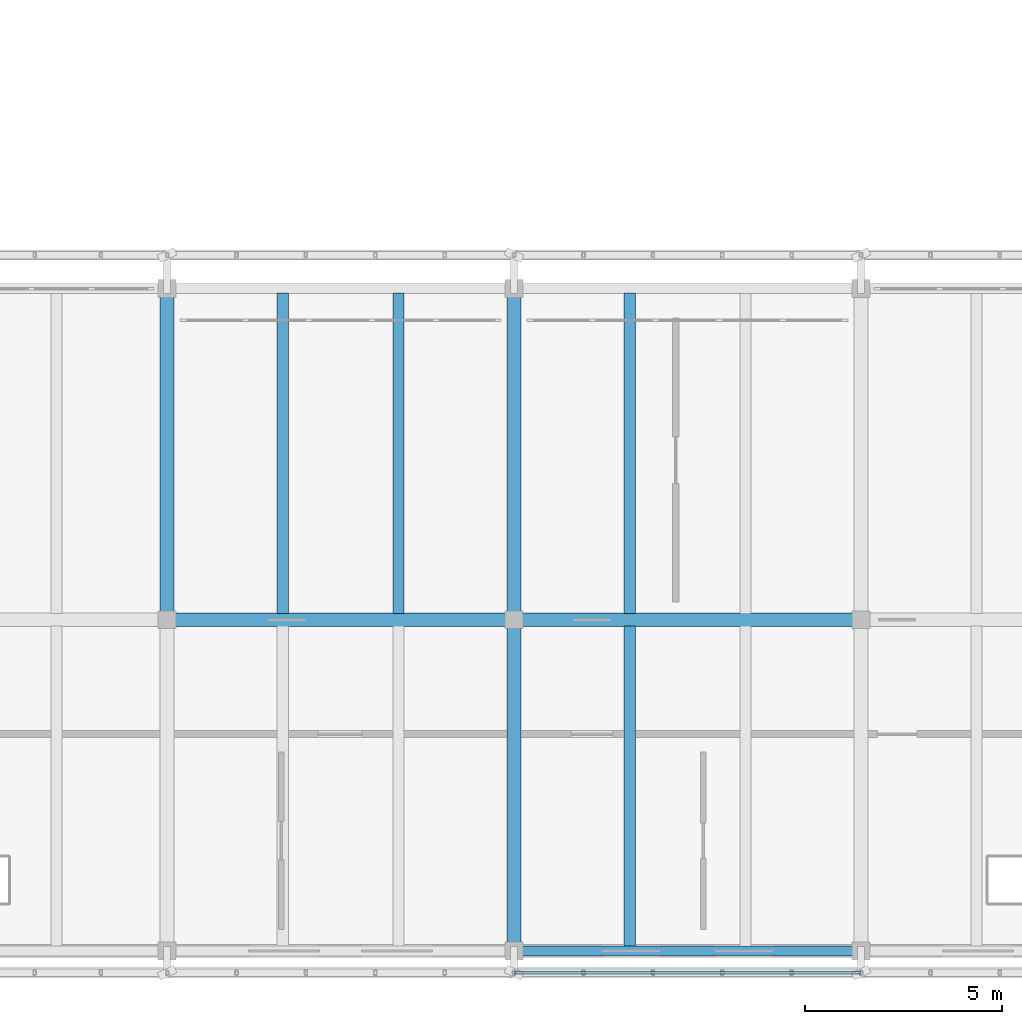
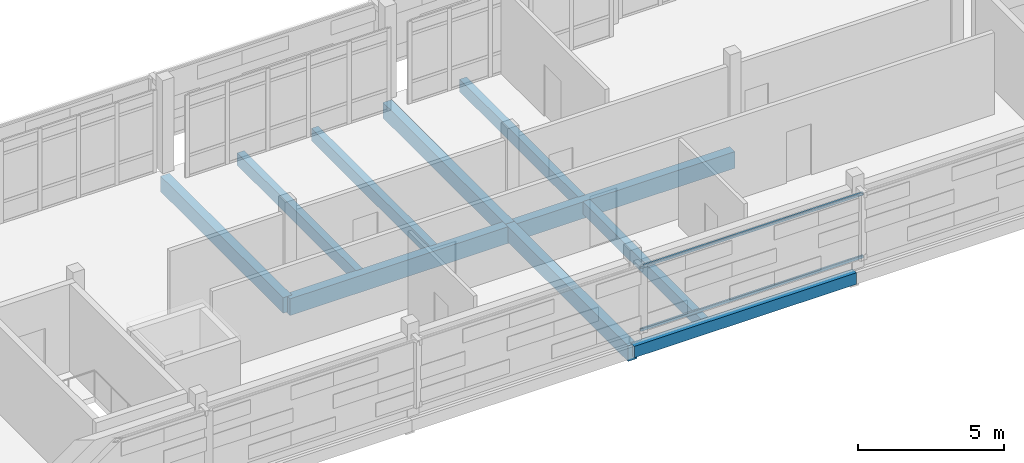
# One storey, part 24 of 117: 10 beams, 2 members.
"""IFC4 building model written with IfcOpenShell, lengths in metres."""

from ifc_helpers import new_model, si_unit, direction, frame, origin, origin_2d, place, context, subcontext, project, spatial, rectangle, hollow_rectangle, extrude, material, material_profile, profile_set, type_object, element, save


model = new_model("IFC4")

# Units and contexts
model_context = context("Model", 3, precision=1e-05, world=origin(), true_north=direction((0.0, 1.0)))
body_context = subcontext(model_context, "Body", "Model", "MODEL_VIEW")
ifc_project = project(units=[si_unit("LENGTHUNIT", "METRE"), si_unit("AREAUNIT", "SQUARE_METRE"), si_unit("VOLUMEUNIT", "CUBIC_METRE"), si_unit("PLANEANGLEUNIT", "RADIAN"), si_unit("MASSUNIT", "GRAM", prefix="KILO")], contexts=[model_context])

# Site, building, storey
site_placement = place(None, origin())
site = spatial("IfcSite", under=ifc_project, at=site_placement, CompositionType="ELEMENT")
building_placement = place(site_placement, origin())
building = spatial("IfcBuilding", under=site, at=building_placement, Name="Cinderway Yard Community Centre", CompositionType="ELEMENT")
storey_placement = place(building_placement, frame((0.0, 0.0, 9.0)))
storey = spatial("IfcBuildingStorey", under=building, at=storey_placement, Name="L02", CompositionType="ELEMENT", Elevation=9.0)

# Members
ifc_material_1 = material(Name="Steel S355", Category="steel")
ifc_material_profile_1 = material_profile(ifc_material_1, hollow_rectangle(XDim=0.080078125, YDim=0.1201171875, WallThickness=0.00634765625, InnerFilletRadius=0.00634765625, OuterFilletRadius=0.0126953125, at=origin_2d()), Name="Steel S355")
ifc_profile_set_1 = profile_set([ifc_material_profile_1], Name="Steel S355")
member_type = type_object("IfcMemberType", Name="ENV-MEM-SCREEN-RAIL-120", PredefinedType="STRINGER", material=ifc_profile_set_1)
for number, where, z_axis, x_axis, name in (
    (1, (84.0, 5.449951171875, 0.7099609375), (1.0, 0.0, 0.0), (0.0, 1.0, 0.0), "Screen support rail 0667-BOT"),
    (2, (84.0, 5.449951171875, 3.340087890625), (1.0, 0.0, 0.0), (0.0, 1.0, 0.0), "Screen support rail 0668-TOP"),
):
    element("IfcMember", number, at=place(storey_placement, frame(where, z_axis=z_axis, x_axis=x_axis)), inside=storey, type_object=member_type, Name=name, PredefinedType="STRINGER", context=body_context, shape_type="SweptSolid", body=[
        extrude(hollow_rectangle(XDim=0.080078125, YDim=0.1201171875, WallThickness=0.00634765625, InnerFilletRadius=0.00634765625, OuterFilletRadius=0.0126953125, at=origin_2d()), origin(), (0.0, 0.0, 1.0), 8.800048828125),
    ])

# Beams
ifc_material_2 = material(Name="Concrete C40/50", Category="concrete")
ifc_material_profile_2 = material_profile(ifc_material_2, rectangle(XDim=0.260009765625, YDim=0.47998046875, at=origin_2d()), Name="Concrete C40/50")
ifc_profile_set_2 = profile_set([ifc_material_profile_2], Name="Concrete C40/50")
beam_type_1 = type_object("IfcBeamType", Name="STR-BM-RC260X480", PredefinedType="SPANDREL", material=ifc_profile_set_2)
beam_1_placement = place(storey_placement, frame((84.0, 6.0, -0.47998046875), z_axis=(1.0, 0.0, 0.0), x_axis=(0.0, 1.0, 0.0)))
element("IfcBeam", 3, at=beam_1_placement, inside=storey, type_object=beam_type_1, Name="Primary girder STR-BM-L02-SP01-0438", PredefinedType="SPANDREL", context=body_context, shape_type="SweptSolid", body=[
    extrude(rectangle(XDim=0.260009765625, YDim=0.47998046875, at=origin_2d()), origin(), (0.0, 0.0, 1.0), 8.800048828125),
])
ifc_material_3 = material(Name="Concrete C35/45", Category="concrete")
ifc_material_profile_3 = material_profile(ifc_material_3, rectangle(XDim=0.280029296875, YDim=0.52001953125, at=origin_2d()), Name="Concrete C35/45")
ifc_profile_set_3 = profile_set([ifc_material_profile_3], Name="Concrete C35/45")
beam_type_2 = type_object("IfcBeamType", Name="STR-BM-RC280X520", PredefinedType="JOIST", material=ifc_profile_set_3)
for number, where, z_axis, x_axis, name in (
    (4, (78.133056640625, 14.556884765625, -0.5), (0.0, 1.0, 0.0), (-1.0, 0.0, 0.0), "Secondary joist STR-BM-L02-BJ04-0479"),
    (5, (81.06689453125, 14.556884765625, -0.5), (0.0, 1.0, 0.0), (-1.0, 0.0, 0.0), "Secondary joist STR-BM-L02-BJ04-0480"),
):
    element("IfcBeam", number, at=place(storey_placement, frame(where, z_axis=z_axis, x_axis=x_axis)), inside=storey, type_object=beam_type_2, Name=name, PredefinedType="JOIST", context=body_context, shape_type="SweptSolid", body=[
        extrude(rectangle(XDim=0.280029296875, YDim=0.52001953125, at=origin_2d()), origin(), (0.0, 0.0, 1.0), 8.131103515625),
    ])
beam_2_placement = place(storey_placement, frame((86.93310546875, 6.112060546875, -0.5), z_axis=(0.0, 1.0, 0.0), x_axis=(-1.0, 0.0, 0.0)))
element("IfcBeam", 6, at=beam_2_placement, inside=storey, type_object=beam_type_2, Name="Secondary joist STR-BM-L02-BJ04-0481", PredefinedType="JOIST", context=body_context, shape_type="SweptSolid", body=[
    extrude(rectangle(XDim=0.280029296875, YDim=0.52001953125, at=origin_2d()), origin(), (0.0, 0.0, 1.0), 8.130859375),
])
beam_3_placement = place(storey_placement, frame((86.93310546875, 14.556884765625, -0.5), z_axis=(0.0, 1.0, 0.0), x_axis=(-1.0, 0.0, 0.0)))
element("IfcBeam", 7, at=beam_3_placement, inside=storey, type_object=beam_type_2, Name="Secondary joist STR-BM-L02-BJ04-0483", PredefinedType="JOIST", context=body_context, shape_type="SweptSolid", body=[
    extrude(rectangle(XDim=0.280029296875, YDim=0.52001953125, at=origin_2d()), origin(), (0.0, 0.0, 1.0), 8.131103515625),
])
ifc_material_profile_4 = material_profile(ifc_material_3, rectangle(XDim=0.35009765625, YDim=0.64990234375, at=origin_2d()), Name="Concrete C35/45")
ifc_profile_set_4 = profile_set([ifc_material_profile_4], Name="Concrete C35/45")
beam_type_3 = type_object("IfcBeamType", Name="STR-BM-RC350X650", PredefinedType="BEAM", material=ifc_profile_set_4)
beam_4_placement = place(storey_placement, frame((75.199951171875, 14.39990234375, -0.56494140625), z_axis=(0.0, 1.0, 0.0), x_axis=(-1.0, 0.0, 0.0)))
element("IfcBeam", 8, at=beam_4_placement, inside=storey, type_object=beam_type_3, Name="Transverse girder STR-BM-L02-BG08-0460", PredefinedType="BEAM", context=body_context, shape_type="SweptSolid", body=[
    extrude(rectangle(XDim=0.35009765625, YDim=0.64990234375, at=origin_2d()), origin(), (0.0, 0.0, 1.0), 8.400146484375),
])
beam_5_placement = place(storey_placement, frame((84.0, 6.0, -0.56494140625), z_axis=(0.0, 1.0, 0.0), x_axis=(-1.0, 0.0, 0.0)))
element("IfcBeam", 9, at=beam_5_placement, inside=storey, type_object=beam_type_3, Name="Transverse girder STR-BM-L02-BG08-0461", PredefinedType="BEAM", context=body_context, shape_type="SweptSolid", body=[
    extrude(rectangle(XDim=0.35009765625, YDim=0.64990234375, at=origin_2d()), origin(), (0.0, 0.0, 1.0), 8.39990234375),
])
beam_6_placement = place(storey_placement, frame((84.0, 14.39990234375, -0.56494140625), z_axis=(0.0, 1.0, 0.0), x_axis=(-1.0, 0.0, 0.0)))
element("IfcBeam", 10, at=beam_6_placement, inside=storey, type_object=beam_type_3, Name="Transverse girder STR-BM-L02-BG08-0462", PredefinedType="BEAM", context=body_context, shape_type="SweptSolid", body=[
    extrude(rectangle(XDim=0.35009765625, YDim=0.64990234375, at=origin_2d()), origin(), (0.0, 0.0, 1.0), 8.400146484375),
])
ifc_material_profile_5 = material_profile(ifc_material_3, rectangle(XDim=0.35009765625, YDim=0.699951171875, at=origin_2d()), Name="Concrete C35/45")
ifc_profile_set_5 = profile_set([ifc_material_profile_5], Name="Concrete C35/45")
beam_type_4 = type_object("IfcBeamType", Name="STR-BM-RC350X700", PredefinedType="BEAM", material=ifc_profile_set_5)
for number, where, z_axis, x_axis, name in (
    (11, (75.199951171875, 14.39990234375, -0.590087890625), (1.0, 0.0, 0.0), (0.0, 1.0, 0.0), "Primary girder STR-BM-L02-BG07-0444"),
    (12, (84.0, 14.39990234375, -0.590087890625), (1.0, 0.0, 0.0), (0.0, 1.0, 0.0), "Primary girder STR-BM-L02-BG07-0445"),
):
    element("IfcBeam", number, at=place(storey_placement, frame(where, z_axis=z_axis, x_axis=x_axis)), inside=storey, type_object=beam_type_4, Name=name, PredefinedType="BEAM", context=body_context, shape_type="SweptSolid", body=[
        extrude(rectangle(XDim=0.35009765625, YDim=0.699951171875, at=origin_2d()), origin(), (0.0, 0.0, 1.0), 8.800048828125),
    ])

save(model, "model.ifc")
